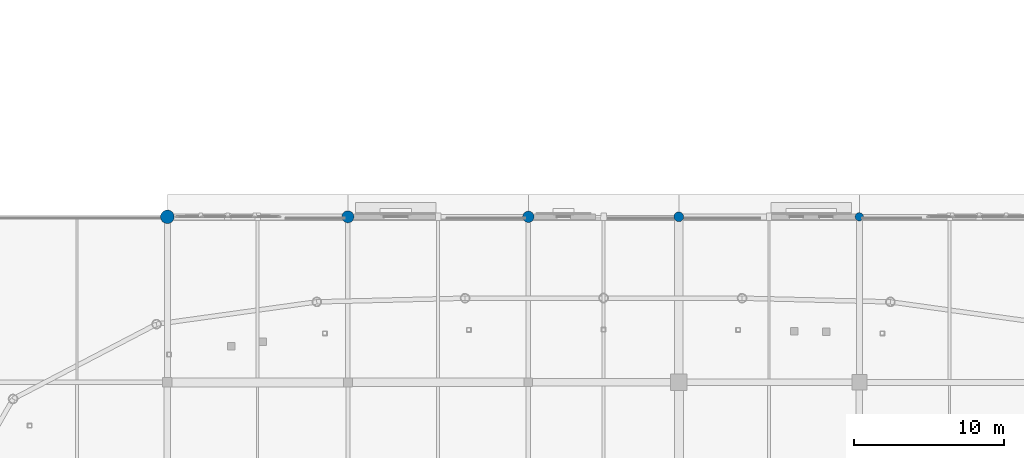
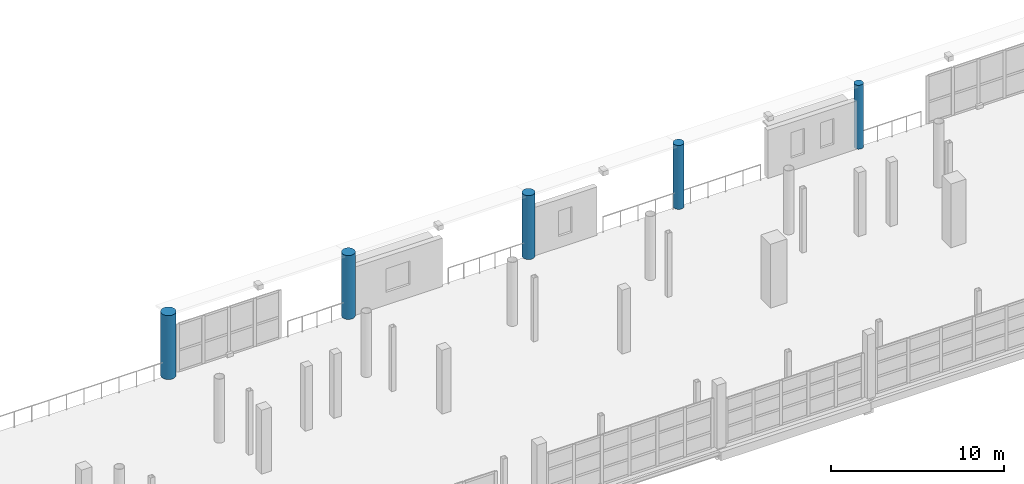
# One storey, part 14 of 118: 5 columns.
"""IFC4 building model written with IfcOpenShell, lengths in metres."""

from ifc_helpers import new_model, si_unit, direction, frame, origin, origin_2d, place, context, subcontext, project, spatial, circle, extrude, material, material_profile, profile_set, type_object, element, save


model = new_model("IFC4")

# Units and contexts
model_context = context("Model", 3, precision=1e-05, world=origin(), true_north=direction((0.0, 1.0)))
body_context = subcontext(model_context, "Body", "Model", "MODEL_VIEW")
ifc_project = project(units=[si_unit("LENGTHUNIT", "METRE"), si_unit("AREAUNIT", "SQUARE_METRE"), si_unit("VOLUMEUNIT", "CUBIC_METRE"), si_unit("PLANEANGLEUNIT", "RADIAN"), si_unit("MASSUNIT", "GRAM", prefix="KILO")], contexts=[model_context])

# Site, building, storey
site_placement = place(None, origin())
site = spatial("IfcSite", under=ifc_project, at=site_placement, CompositionType="ELEMENT")
building_placement = place(site_placement, origin())
building = spatial("IfcBuilding", under=site, at=building_placement, Name="Luwafu Chhajja Arena", CompositionType="ELEMENT")
storey_placement = place(building_placement, frame((0.0, 0.0, 10.199951171875)))
storey = spatial("IfcBuildingStorey", under=building, at=storey_placement, Name="L02", CompositionType="ELEMENT", Elevation=10.199951171875)

# Columns
ifc_material_1 = material(Name="Concrete C35/45", Category="concrete")
ifc_material_profile_1 = material_profile(ifc_material_1, circle(Radius=0.375, at=origin_2d()), Name="RC COL D750")
ifc_profile_set_1 = profile_set([ifc_material_profile_1], Name="Concrete C35/45")
column_type_1 = type_object("IfcColumnType", Name="Charbagh Cloister Pier D750", PredefinedType="COLUMN", material=ifc_profile_set_1)
column_1_placement = place(storey_placement, frame((94.0, 99.0, 0.0), z_axis=(0.0, 0.0, 1.0), x_axis=(1.0, 0.0, 0.0)))
element("IfcColumn", 1, at=column_1_placement, inside=storey, type_object=column_type_1, Name="L02 Grid Column 9/K", PredefinedType="COLUMN", context=body_context, shape_type="SweptSolid", body=[
    extrude(circle(Radius=0.375, at=origin_2d()), origin(), (0.0, 0.0, 1.0), 4.5),
])
ifc_material_profile_2 = material_profile(ifc_material_1, circle(Radius=0.324951171875, at=origin_2d()), Name="RC COL D650")
ifc_profile_set_2 = profile_set([ifc_material_profile_2], Name="Concrete C35/45")
column_type_2 = type_object("IfcColumnType", Name="Courtyard Arcade Pier D650", PredefinedType="COLUMN", material=ifc_profile_set_2)
column_2_placement = place(storey_placement, frame((104.0, 99.0, 0.0), z_axis=(0.0, 0.0, 1.0), x_axis=(1.0, 0.0, 0.0)))
element("IfcColumn", 2, at=column_2_placement, inside=storey, type_object=column_type_2, Name="L02 Grid Column 10/K", PredefinedType="COLUMN", context=body_context, shape_type="SweptSolid", body=[
    extrude(circle(Radius=0.324951171875, at=origin_2d()), origin(), (0.0, 0.0, 1.0), 4.5),
])
ifc_material_2 = material(Name="Concrete C40/50", Category="concrete")
ifc_material_profile_3 = material_profile(ifc_material_2, circle(Radius=0.39990234375, at=origin_2d()), Name="RC COL D800")
ifc_profile_set_3 = profile_set([ifc_material_profile_3], Name="Concrete C40/50")
column_type_3 = type_object("IfcColumnType", Name="Foyer Rotunda Pier D800", PredefinedType="COLUMN", material=ifc_profile_set_3)
column_3_placement = place(storey_placement, frame((82.0, 99.0, 0.0), z_axis=(0.0, 0.0, 1.0), x_axis=(1.0, 0.0, 0.0)))
element("IfcColumn", 3, at=column_3_placement, inside=storey, type_object=column_type_3, Name="L02 Grid Column 8/K", PredefinedType="COLUMN", context=body_context, shape_type="SweptSolid", body=[
    extrude(circle(Radius=0.39990234375, at=origin_2d()), origin(), (0.0, 0.0, 1.0), 4.5),
])
ifc_material_profile_4 = material_profile(ifc_material_2, circle(Radius=0.449951171875, at=origin_2d()), Name="RC COL D900")
ifc_profile_set_4 = profile_set([ifc_material_profile_4], Name="Concrete C40/50")
column_type_4 = type_object("IfcColumnType", Name="Mughal Colonnade Drum Pier D900", PredefinedType="COLUMN", material=ifc_profile_set_4)
column_4_placement = place(storey_placement, frame((70.0, 99.0, 0.0), z_axis=(0.0, 0.0, 1.0), x_axis=(1.0, 0.0, 0.0)))
element("IfcColumn", 4, at=column_4_placement, inside=storey, type_object=column_type_4, Name="L02 Grid Column 7/K", PredefinedType="COLUMN", context=body_context, shape_type="SweptSolid", body=[
    extrude(circle(Radius=0.449951171875, at=origin_2d()), origin(), (0.0, 0.0, 1.0), 4.5),
])
ifc_material_profile_5 = material_profile(ifc_material_1, circle(Radius=0.27490234375, at=origin_2d()), Name="RC COL D550")
ifc_profile_set_5 = profile_set([ifc_material_profile_5], Name="Concrete C35/45")
column_type_5 = type_object("IfcColumnType", Name="Terrace Loggia Pier D550", PredefinedType="COLUMN", material=ifc_profile_set_5)
column_5_placement = place(storey_placement, frame((116.0, 99.0, 0.0), z_axis=(0.0, 0.0, 1.0), x_axis=(1.0, 0.0, 0.0)))
element("IfcColumn", 5, at=column_5_placement, inside=storey, type_object=column_type_5, Name="L02 Grid Column 11/K", PredefinedType="COLUMN", context=body_context, shape_type="SweptSolid", body=[
    extrude(circle(Radius=0.27490234375, at=origin_2d()), origin(), (0.0, 0.0, 1.0), 4.5),
])

save(model, "model.ifc")
